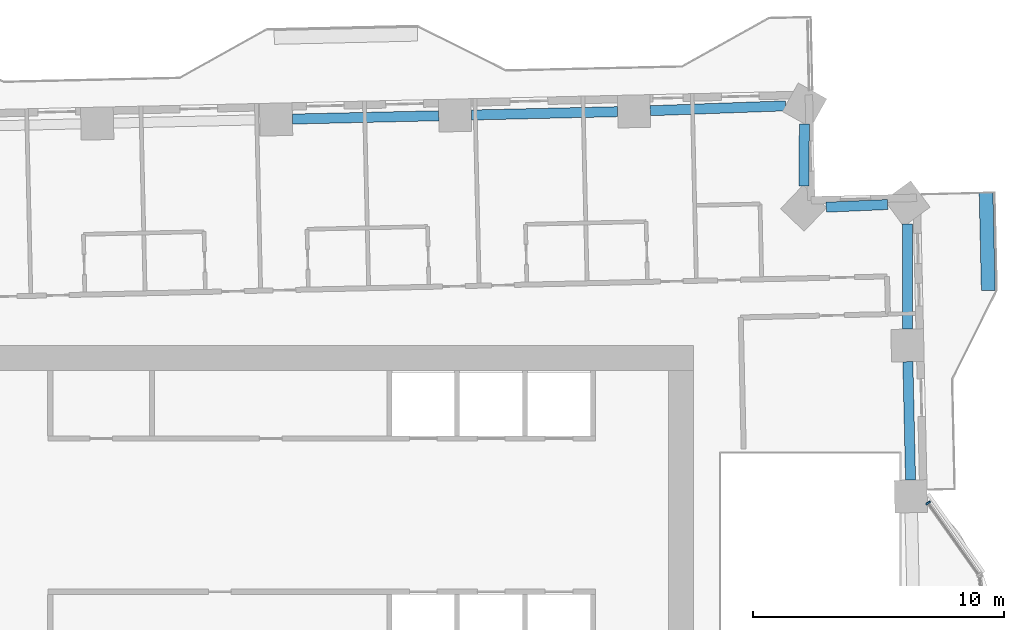
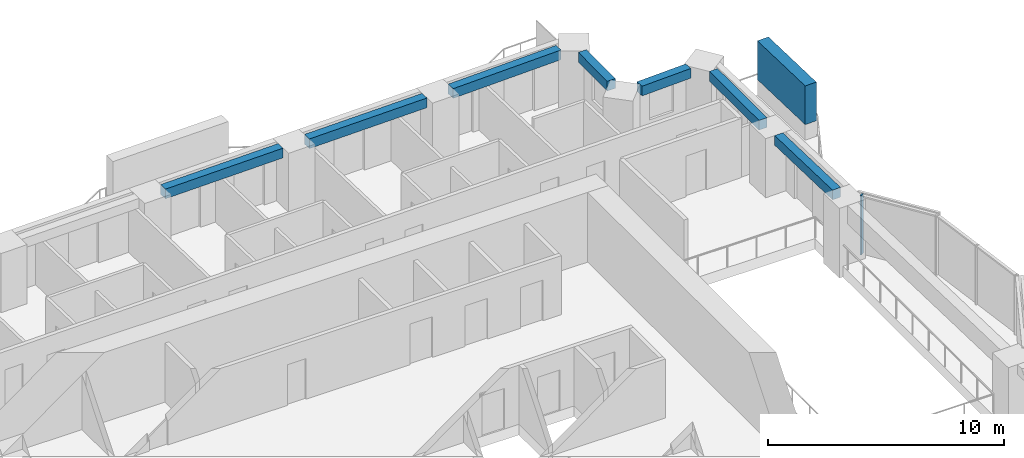
# One storey, part 4 of 16: 7 beams, 2 members, 1 element without a shape of its own.
"""IFC4 building model written with IfcOpenShell, lengths in metres."""

from ifc_helpers import new_model, si_unit, direction, frame, origin, origin_2d, place, context, subcontext, project, spatial, rectangle, extrude, material, material_profile, profile_set, type_object, element, aggregate, save


model = new_model("IFC4")

# Units and contexts
model_context = context("Model", 3, precision=1e-05, world=origin(), true_north=direction((0.0, 1.0)))
body_context = subcontext(model_context, "Body", "Model", "MODEL_VIEW")
ifc_project = project(units=[si_unit("LENGTHUNIT", "METRE"), si_unit("AREAUNIT", "SQUARE_METRE"), si_unit("VOLUMEUNIT", "CUBIC_METRE"), si_unit("PLANEANGLEUNIT", "RADIAN"), si_unit("MASSUNIT", "GRAM", prefix="KILO")], contexts=[model_context])

# Site, building, storey
site_placement = place(None, origin())
site = spatial("IfcSite", under=ifc_project, at=site_placement, CompositionType="ELEMENT")
building_placement = place(site_placement, origin())
building = spatial("IfcBuilding", under=site, at=building_placement, Name="Mangrove Gate Tower", CompositionType="ELEMENT")
storey_placement = place(building_placement, frame((0.0, 0.0, 137.300048828125)))
storey = spatial("IfcBuildingStorey", under=building, at=storey_placement, Name="L34", CompositionType="ELEMENT", Elevation=137.300048828125)

# Curtain wall, member
ifc_material_1 = material(Name="Aluminium and glass curtain wall", Category="aluminium")
curtain_wall_type = type_object("IfcCurtainWallType", Name="Atrium garden-court glazing wall", PredefinedType="NOTDEFINED", material=ifc_material_1)
curtain_wall_placement = place(storey_placement, origin())
curtain_wall = element("IfcCurtainWall", 1, at=curtain_wall_placement, inside=storey, type_object=curtain_wall_type, Name="Atrium garden-court glazing E1f3", PredefinedType="NOTDEFINED")
ifc_material_2 = material(Name="Aluminium alloy 6063-T6", Category="aluminium")
ifc_material_profile_1 = material_profile(ifc_material_2, rectangle(XDim=0.070068359375, YDim=0.199951171875, at=origin_2d()))
ifc_profile_set_1 = profile_set([ifc_material_profile_1], Name="Aluminium alloy 6063-T6")
member_type_1 = type_object("IfcMemberType", Name="Atrium garden-court glazing mullion 70x200", PredefinedType="MULLION", material=ifc_profile_set_1)
member_1_placement = place(storey_placement, frame((24.144775390625, 5.53759765625, 0.0), z_axis=(0.0, 0.0, 1.0), x_axis=(-0.578132252952, 0.815943072828, 0.0)))
member_1 = element("IfcMember", 2, at=member_1_placement, type_object=member_type_1, Name="CWA mullion 2", PredefinedType="MULLION", context=body_context, shape_type="SweptSolid", body=[
    extrude(rectangle(XDim=0.070068359375, YDim=0.199951171875, at=origin_2d()), origin(), (0.0, 0.0, 1.0), 3.050048828125),
])
aggregate(curtain_wall, [member_1])

# Member
ifc_material_3 = material(Name="Planting on aluminium trellis", Category="aluminium")
ifc_material_profile_2 = material_profile(ifc_material_3, rectangle(XDim=0.550048828125, YDim=2.0, at=origin_2d()))
ifc_profile_set_2 = profile_set([ifc_material_profile_2], Name="Planting on aluminium trellis")
member_type_2 = type_object("IfcMemberType", Name="Balcony greenery screen 550x2000", PredefinedType="USERDEFINED", material=ifc_profile_set_2)
member_2_placement = place(storey_placement, frame((26.5390625, 13.992919921875, 1.800048828125), z_axis=(-0.022597696753, 0.999744639446, 0.0), x_axis=(-0.999744639446, -0.022597696753, 0.0)))
element("IfcMember", 3, at=member_2_placement, inside=storey, type_object=member_type_2, Name="GREEN SCREEN L34 E1.1", ObjectType="PLANTING", PredefinedType="USERDEFINED", context=body_context, shape_type="SweptSolid", body=[
    extrude(rectangle(XDim=0.550048828125, YDim=2.0, at=origin_2d()), origin(), (0.0, 0.0, 1.0), 3.900146484375),
])

# Beams
ifc_material_4 = material(Name="Concrete C50/60", Category="concrete")
ifc_material_profile_3 = material_profile(ifc_material_4, rectangle(XDim=0.39990234375, YDim=0.5, at=origin_2d()))
ifc_profile_set_3 = profile_set([ifc_material_profile_3], Name="Concrete C50/60")
beam_type = type_object("IfcBeamType", Name="Edge beam RC 400x500 C50/60", PredefinedType="BEAM", material=ifc_profile_set_3)
beam_1_placement = place(storey_placement, frame((23.444580078125, 6.446044921875, 2.800048828125), z_axis=(-0.022643720968, 0.999743598079, 0.0), x_axis=(-0.999743598079, -0.022643720968, 0.0)))
element("IfcBeam", 4, at=beam_1_placement, inside=storey, type_object=beam_type, Name="Edge beam L34 15", PredefinedType="BEAM", context=body_context, shape_type="SweptSolid", body=[
    extrude(rectangle(XDim=0.39990234375, YDim=0.5, at=origin_2d()), origin(), (0.0, 0.0, 1.0), 4.711669921875),
])
beam_2_placement = place(storey_placement, frame((23.322021484375, 12.45654296875, 2.800048828125), z_axis=(-0.001866103585, 0.999998258827, 0.0), x_axis=(-0.999998258827, -0.001866103585, 0.0)))
element("IfcBeam", 5, at=beam_2_placement, inside=storey, type_object=beam_type, Name="Edge beam L34 16", PredefinedType="BEAM", context=body_context, shape_type="SweptSolid", body=[
    extrude(rectangle(XDim=0.39990234375, YDim=0.5, at=origin_2d()), origin(), (0.0, 0.0, 1.0), 4.1865234375),
])
beam_3_placement = place(storey_placement, frame((22.531982421875, 17.41357421875, 2.800048828125), z_axis=(-0.999039321051, -0.04382276798, 0.0), x_axis=(0.04382276798, -0.999039321051, 0.0)))
element("IfcBeam", 6, at=beam_3_placement, inside=storey, type_object=beam_type, Name="Edge beam L34 17", PredefinedType="BEAM", context=body_context, shape_type="SweptSolid", body=[
    extrude(rectangle(XDim=0.39990234375, YDim=0.5, at=origin_2d()), origin(), (0.0, 0.0, 1.0), 2.44580078125),
])
beam_4_placement = place(storey_placement, frame((19.19677734375, 18.15869140625, 2.800048828125), z_axis=(0.008702202125, 0.999962135122, 0.0), x_axis=(-0.999962135122, 0.008702202125, 0.0)))
element("IfcBeam", 7, at=beam_4_placement, inside=storey, type_object=beam_type, Name="Edge beam L34 18", PredefinedType="BEAM", context=body_context, shape_type="SweptSolid", body=[
    extrude(rectangle(XDim=0.39990234375, YDim=0.5, at=origin_2d()), origin(), (0.0, 0.0, 1.0), 2.46875),
])
beam_5_placement = place(storey_placement, frame((18.464599609375, 21.34130859375, 2.800048828125), z_axis=(-0.999351539582, -0.036006948424, 0.0), x_axis=(0.036006948424, -0.999351539582, 0.0)))
element("IfcBeam", 8, at=beam_5_placement, inside=storey, type_object=beam_type, Name="Edge beam L34 19", PredefinedType="BEAM", context=body_context, shape_type="SweptSolid", body=[
    extrude(rectangle(XDim=0.39990234375, YDim=0.5, at=origin_2d()), origin(), (0.0, 0.0, 1.0), 5.383544921875),
])
for number, where, z_axis, x_axis, name in (
    (9, (11.784912109375, 21.109375, 2.800048828125), (-0.999741835545, -0.022721405353, 0.0), (0.022721405353, -0.999741835545, 0.0), "Edge beam L34 20"),
    (10, (4.662841796875, 20.947509765625, 2.800048828125), (-0.999744684453, -0.022595705507, 0.0), (0.022595705507, -0.999744684453, 0.0), "Edge beam L34 21"),
):
    element("IfcBeam", number, at=place(storey_placement, frame(where, z_axis=z_axis, x_axis=x_axis)), inside=storey, type_object=beam_type, Name=name, PredefinedType="BEAM", context=body_context, shape_type="SweptSolid", body=[
        extrude(rectangle(XDim=0.39990234375, YDim=0.5, at=origin_2d()), origin(), (0.0, 0.0, 1.0), 5.82373046875),
    ])

save(model, "model.ifc")
